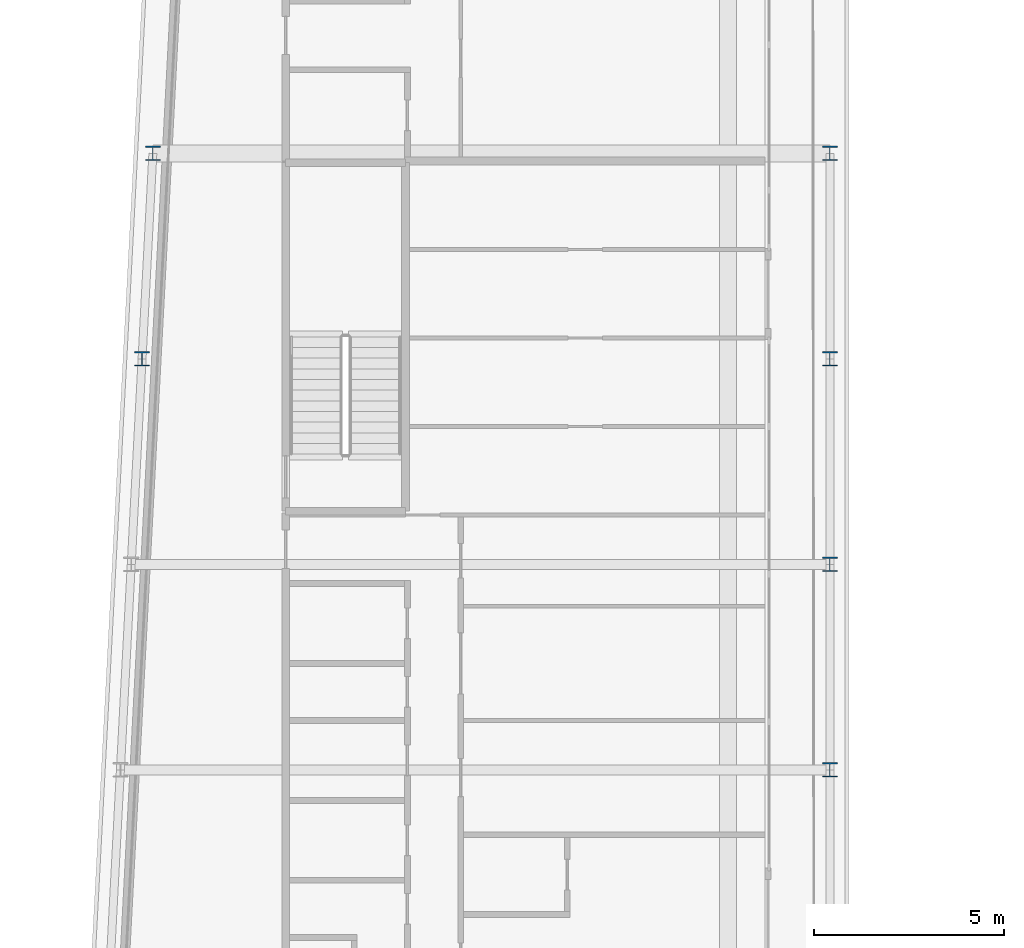
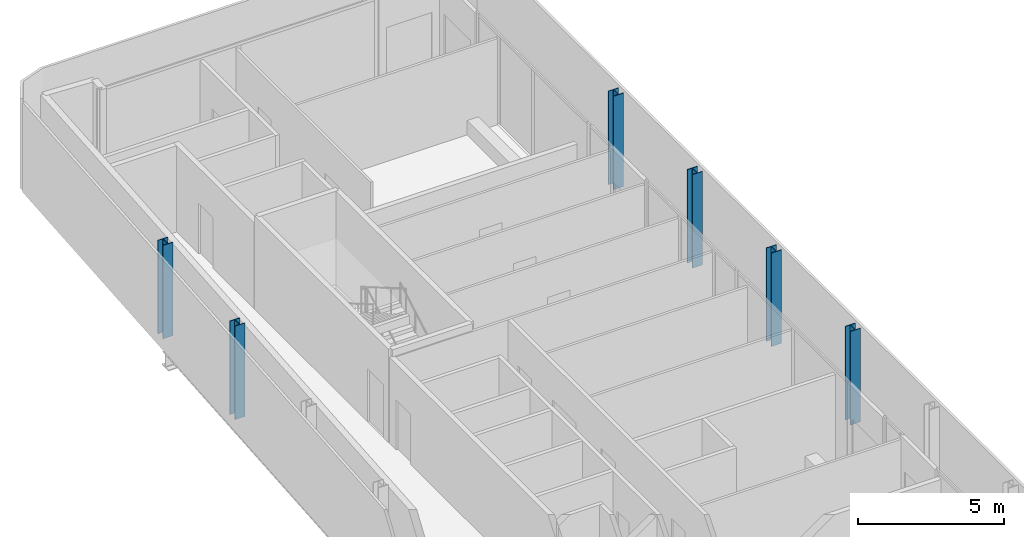
# One storey, part 4 of 21: 6 columns.
"""IFC4 building model written with IfcOpenShell, lengths in metres."""

from ifc_helpers import new_model, si_unit, direction, frame, origin, origin_2d, place, context, subcontext, project, spatial, i_section, extrude, material, material_profile, profile_set, type_object, element, save


model = new_model("IFC4")

# Units and contexts
model_context = context("Model", 3, precision=1e-05, world=origin(), true_north=direction((0.0, 1.0)))
body_context = subcontext(model_context, "Body", "Model", "MODEL_VIEW")
ifc_project = project(units=[si_unit("LENGTHUNIT", "METRE"), si_unit("AREAUNIT", "SQUARE_METRE"), si_unit("VOLUMEUNIT", "CUBIC_METRE"), si_unit("PLANEANGLEUNIT", "RADIAN"), si_unit("MASSUNIT", "GRAM", prefix="KILO")], contexts=[model_context])

# Site, building, storey
site_placement = place(None, origin())
site = spatial("IfcSite", under=ifc_project, at=site_placement, CompositionType="ELEMENT")
building_placement = place(site_placement, origin())
building = spatial("IfcBuilding", under=site, at=building_placement, Name="Kheshtan School and Residences Tower", CompositionType="ELEMENT")
storey_placement = place(building_placement, frame((0.0, 0.0, 278.60009765625)))
storey = spatial("IfcBuildingStorey", under=building, at=storey_placement, Name="L65", CompositionType="ELEMENT", Elevation=278.60009765625)

# Columns
ifc_material = material(Name="Steel ASTM A992 Grade 50", Category="steel")
ifc_material_profile = material_profile(ifc_material, i_section(OverallWidth=0.39501953125, OverallDepth=0.3798828125, WebThickness=0.018798828125, FlangeThickness=0.0302734375, FilletRadius=0.011474609375, at=origin_2d()), Name="W360x237")
ifc_profile_set = profile_set([ifc_material_profile], Name="Steel ASTM A992 Grade 50")
column_type = type_object("IfcColumnType", Name="Column C5 W360x237 ASTM A992 Grade 50", PredefinedType="COLUMN", material=ifc_profile_set)
for number, where, z_axis, x_axis, name in (
    (1, (47.60009765625, 72.60009765625, 0.0), (0.0, 0.0, 1.0), (1.0, 0.0, 0.0), "Column C087"),
    (2, (47.60009765625, 78.0, 0.0), (0.0, 0.0, 1.0), (1.0, 0.0, 0.0), "Column C089"),
    (3, (29.527099609375, 83.39990234375, 0.0), (0.0, 0.0, 1.0), (1.0, 0.0, 0.0), "Column C090"),
    (4, (47.60009765625, 83.39990234375, 0.0), (0.0, 0.0, 1.0), (1.0, 0.0, 0.0), "Column C091"),
    (5, (29.81103515625, 88.800048828125, 0.0), (0.0, 0.0, 1.0), (1.0, 0.0, 0.0), "Column C098"),
    (6, (47.60009765625, 88.800048828125, 0.0), (0.0, 0.0, 1.0), (1.0, 0.0, 0.0), "Column C099"),
):
    element("IfcColumn", number, at=place(storey_placement, frame(where, z_axis=z_axis, x_axis=x_axis)), inside=storey, type_object=column_type, Name=name, PredefinedType="COLUMN", context=body_context, shape_type="SweptSolid", body=[
        extrude(i_section(OverallWidth=0.39501953125, OverallDepth=0.3798828125, WebThickness=0.018798828125, FlangeThickness=0.0302734375, FilletRadius=0.011474609375, at=origin_2d()), origin(), (0.0, 0.0, 1.0), 3.89990234375),
    ])

save(model, "model.ifc")
